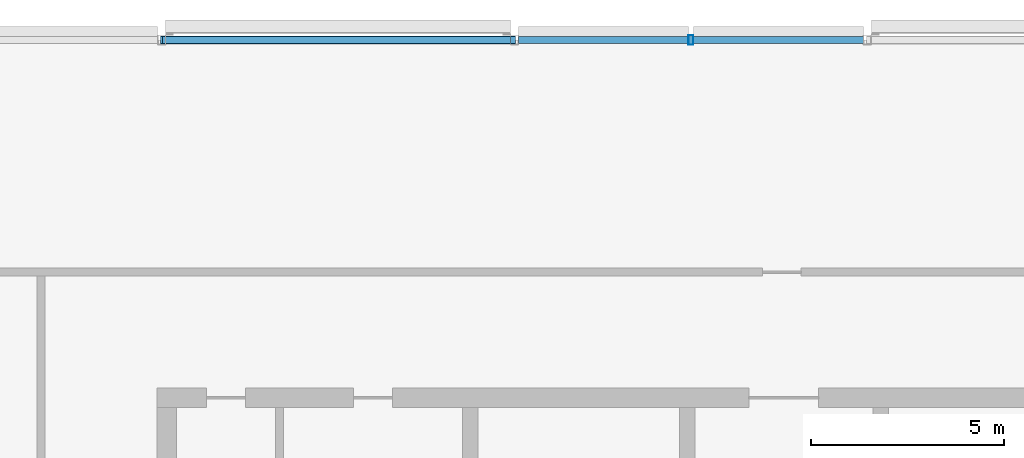
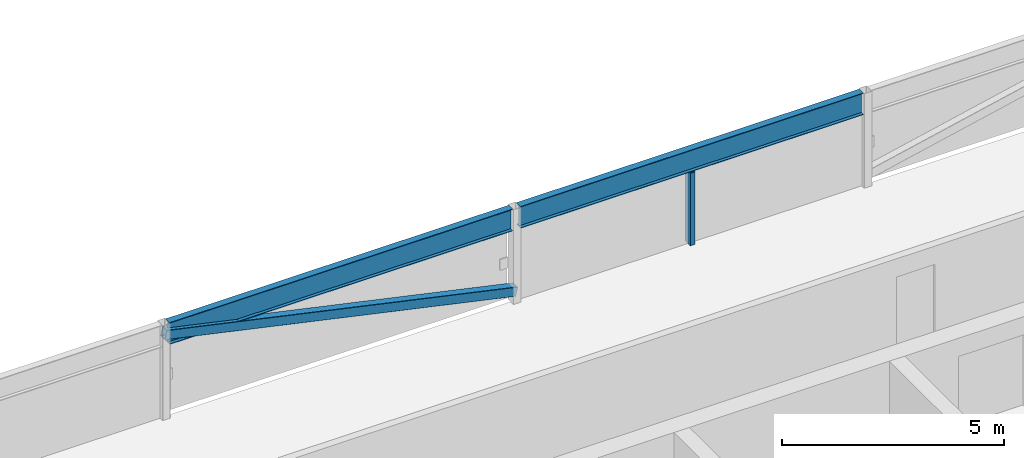
# One storey, part 12 of 27: 2 beams, 2 members.
"""IFC4 building model written with IfcOpenShell, lengths in metres."""

from ifc_helpers import new_model, si_unit, direction, frame, origin, origin_2d, place, context, subcontext, project, spatial, hollow_rectangle, i_section, extrude, material, material_profile, profile_set, type_object, element, save


model = new_model("IFC4")

# Units and contexts
model_context = context("Model", 3, precision=1e-05, world=origin(), true_north=direction((0.0, 1.0)))
body_context = subcontext(model_context, "Body", "Model", "MODEL_VIEW")
ifc_project = project(units=[si_unit("LENGTHUNIT", "METRE"), si_unit("AREAUNIT", "SQUARE_METRE"), si_unit("VOLUMEUNIT", "CUBIC_METRE"), si_unit("PLANEANGLEUNIT", "RADIAN"), si_unit("MASSUNIT", "GRAM", prefix="KILO")], contexts=[model_context])

# Site, building, storey
site_placement = place(None, origin())
site = spatial("IfcSite", under=ifc_project, at=site_placement, CompositionType="ELEMENT")
building_placement = place(site_placement, origin())
building = spatial("IfcBuilding", under=site, at=building_placement, Name="Madar Terraces", CompositionType="ELEMENT")
storey_placement = place(building_placement, frame((0.0, 0.0, 314.300048828125)))
storey = spatial("IfcBuildingStorey", under=building, at=storey_placement, Name="L81", CompositionType="ELEMENT", Elevation=314.300048828125)

# Beams
ifc_material_1 = material(Name="Steel ASTM A992 Grade 50", Category="steel")
ifc_material_profile_1 = material_profile(ifc_material_1, i_section(OverallWidth=0.1787109375, OverallDepth=0.60205078125, WebThickness=0.010986328125, FlangeThickness=0.014892578125, at=origin_2d()), Name="W24x62")
ifc_profile_set_1 = profile_set([ifc_material_profile_1], Name="Steel ASTM A992 Grade 50")
beam_type = type_object("IfcBeamType", Name="CF2 W24x62", PredefinedType="BEAM", material=ifc_profile_set_1)
for number, where, z_axis, x_axis, name in (
    (1, (33.25830078125, 46.800048828125, 2.299072265625), (-1.0, 0.0, 0.0), (0.0, -1.0, 0.0), "Crown frame ring beam CF2"),
    (2, (24.138427734375, 46.800048828125, 2.299072265625), (-1.0, 0.0, 0.0), (0.0, -1.0, 0.0), "Crown frame ring beam CF2"),
):
    element("IfcBeam", number, at=place(storey_placement, frame(where, z_axis=z_axis, x_axis=x_axis)), inside=storey, type_object=beam_type, Name=name, PredefinedType="BEAM", context=body_context, shape_type="SweptSolid", body=[
        extrude(i_section(OverallWidth=0.1787109375, OverallDepth=0.60205078125, WebThickness=0.010986328125, FlangeThickness=0.014892578125, at=origin_2d()), origin(), (0.0, 0.0, 1.0), 8.916748046875),
    ])

# Members
ifc_material_2 = material(Name="Steel ASTM A500 Grade C", Category="steel")
ifc_material_profile_2 = material_profile(ifc_material_2, hollow_rectangle(XDim=0.203125, YDim=0.25390625, WallThickness=0.009521484375, InnerFilletRadius=0.00439453125, OuterFilletRadius=0.01318359375, at=origin_2d()), Name="HSS10x8x.375")
ifc_profile_set_2 = profile_set([ifc_material_profile_2], Name="Steel ASTM A500 Grade C")
member_type_1 = type_object("IfcMemberType", Name="CF5 crown frame brace HSS10x8x.375", PredefinedType="BRACE", material=ifc_profile_set_2)
member_1_placement = place(storey_placement, frame((24.239990234375, 46.800048828125, 0.300048828125), z_axis=(-0.976809345127, 0.0, 0.21411096019), x_axis=(0.0, -1.0, 0.0)))
element("IfcMember", 3, at=member_1_placement, inside=storey, type_object=member_type_1, Name="Crown frame brace CF5", PredefinedType="BRACE", context=body_context, shape_type="SweptSolid", body=[
    extrude(hollow_rectangle(XDim=0.203125, YDim=0.25390625, WallThickness=0.009521484375, InnerFilletRadius=0.00439453125, OuterFilletRadius=0.01318359375, at=origin_2d()), origin(), (0.0, 0.0, 1.0), 9.33642578125),
])
ifc_material_3 = material(Name="Steel ASTM A500 Grade C", Category="steel")
ifc_material_profile_3 = material_profile(ifc_material_3, hollow_rectangle(XDim=0.126953125, YDim=0.25390625, WallThickness=0.00634765625, InnerFilletRadius=0.0029296875, OuterFilletRadius=0.0087890625, at=origin_2d()), Name="HSS10x5x.25")
ifc_profile_set_3 = profile_set([ifc_material_profile_3], Name="Steel ASTM A500 Grade C")
member_type_2 = type_object("IfcMemberType", Name="LS2 HSS10x5x.25", PredefinedType="POST", material=ifc_profile_set_3)
member_2_placement = place(storey_placement, frame((28.800048828125, 46.800048828125, 0.0), z_axis=(0.0, 0.0, 1.0), x_axis=(-1.0, 0.0, 0.0)))
element("IfcMember", 4, at=member_2_placement, inside=storey, type_object=member_type_2, Name="Crown louvre post LS2", PredefinedType="POST", context=body_context, shape_type="SweptSolid", body=[
    extrude(hollow_rectangle(XDim=0.126953125, YDim=0.25390625, WallThickness=0.00634765625, InnerFilletRadius=0.0029296875, OuterFilletRadius=0.0087890625, at=origin_2d()), origin(), (0.0, 0.0, 1.0), 1.998046875),
])

save(model, "model.ifc")
